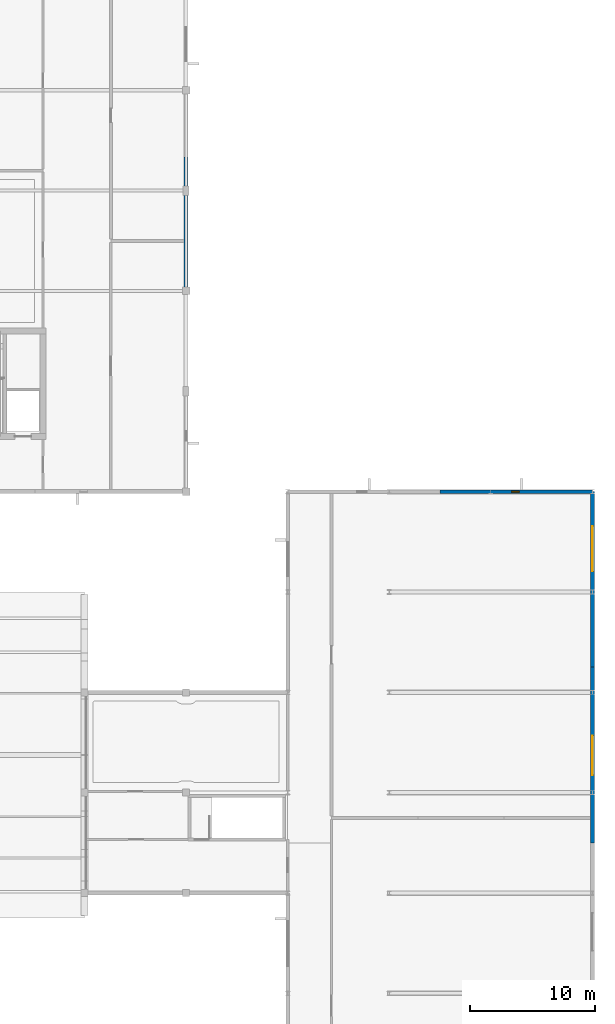
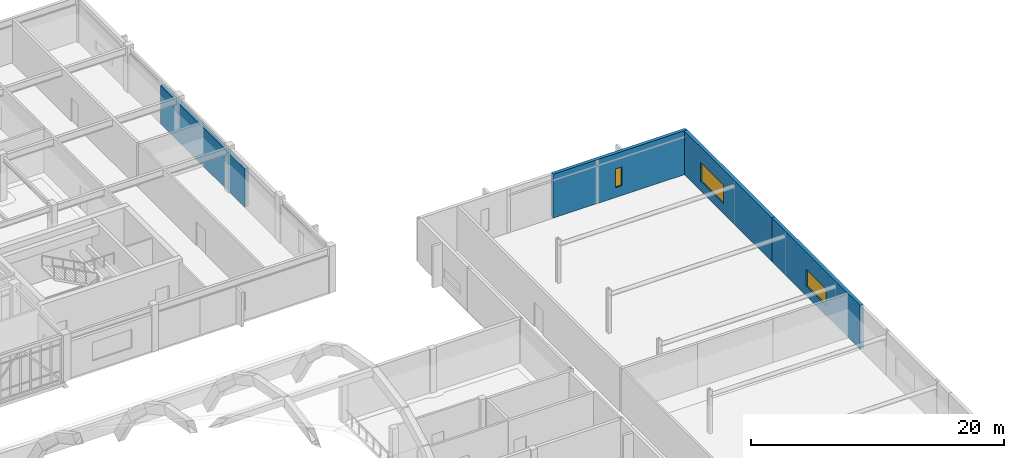
# One storey, part 56 of 67: 4 walls, 3 windows, 3 openings.
"""IFC4 building model written with IfcOpenShell, lengths in metres."""

from ifc_helpers import new_model, si_unit, direction, frame, frame_2d, origin, place, context, subcontext, project, spatial, rectangle, extrude, material, layer, layer_set, type_object, element, fill, save


model = new_model("IFC4")

# Units and contexts
model_context = context("Model", 3, precision=1e-05, world=origin(), true_north=direction((0.0, 1.0)))
body_context = subcontext(model_context, "Body", "Model", "MODEL_VIEW")
ifc_project = project(units=[si_unit("LENGTHUNIT", "METRE"), si_unit("AREAUNIT", "SQUARE_METRE"), si_unit("VOLUMEUNIT", "CUBIC_METRE"), si_unit("PLANEANGLEUNIT", "RADIAN"), si_unit("MASSUNIT", "GRAM", prefix="KILO")], contexts=[model_context])

# Site, building, storey
site_placement = place(None, origin())
site = spatial("IfcSite", under=ifc_project, at=site_placement, CompositionType="ELEMENT")
building_placement = place(site_placement, origin())
building = spatial("IfcBuilding", under=site, at=building_placement, Name="Tarnveldt Square Police Headquarters", CompositionType="ELEMENT")
storey_placement = place(building_placement, frame((0.0, 0.0, 10.199951171875)))
storey = spatial("IfcBuildingStorey", under=building, at=storey_placement, Name="L02", CompositionType="ELEMENT", Elevation=10.199951171875)

# Wall
ifc_material_1 = material(Name="Concrete 40 MPa", Category="concrete")
ifc_layer_1 = layer(ifc_material_1, 0.320068359375)
ifc_layer_set_1 = layer_set([ifc_layer_1], Name="Concrete 40 MPa")
wall_type_1 = type_object("IfcWallType", Name="WL-EXT-BH320", PredefinedType="SOLIDWALL", material=ifc_layer_set_1)
wall_1_placement = place(storey_placement, frame((129.60009765625, 69.333251953125, 0.0), z_axis=(0.0, 0.0, 1.0), x_axis=(0.0, 1.0, 0.0)))
element("IfcWall", 1, at=wall_1_placement, inside=storey, type_object=wall_type_1, Name="L02 Brutalist Exterior Wall 0124", PredefinedType="SOLIDWALL", context=body_context, shape_type="SweptSolid", body=[
    extrude(rectangle(XDim=13.33349609375, YDim=0.320068359375, at=frame_2d((6.666748046875, 0.0))), origin(), (0.0, 0.0, 1.0), 3.73193359375),
])

# Wall, opening, window
ifc_material_2 = material(Name="Manganese ironspot clay brick masonry 20 MPa", Category="masonry")
ifc_layer_2 = layer(ifc_material_2, 0.300048828125)
ifc_layer_set_2 = layer_set([ifc_layer_2], Name="Manganese ironspot clay brick masonry 20 MPa")
wall_type_2 = type_object("IfcWallType", Name="WL-EXT-BRK300", PredefinedType="SOLIDWALL", material=ifc_layer_set_2)
wall_2_placement = place(storey_placement, frame((162.0, 28.0, 0.0), z_axis=(0.0, 0.0, 1.0), x_axis=(0.0, 1.0, 0.0)))
wall_2 = element("IfcWall", 2, at=wall_2_placement, inside=storey, type_object=wall_type_2, Name="L02 Brutalist Exterior Wall 0150", PredefinedType="SOLIDWALL", context=body_context, shape_type="SweptSolid", body=[
    extrude(rectangle(XDim=14.0, YDim=0.300048828125, at=frame_2d((7.0, 0.0))), origin(), (0.0, 0.0, 1.0), 4.239990234375),
])
opening_1_placement = place(wall_2_placement, frame((5.39990234375, 0.0, 0.949951171875)))
opening_1 = element("IfcOpeningElement", 3, at=opening_1_placement, cuts=wall_2, Name="Opening W18", PredefinedType="OPENING", context=body_context, shape_type="SweptSolid", body=[
    extrude(rectangle(XDim=3.14990234375, YDim=1.60009765625, at=frame_2d((1.574951171875, 0.800048828125))), frame((0.0, 0.159912109375, 0.0), z_axis=(0.0, -1.0, 0.0), x_axis=(1.0, 0.0, 0.0)), (0.0, 0.0, 1.0), 0.320068359375),
])
ifc_material_3 = material(Name="Triple-glazed low-e laminated vision glass", Category="glass")
window_type_1 = type_object("IfcWindowType", Name="WIN-DR-315x160", PartitioningType="TRIPLE_PANEL_VERTICAL", PredefinedType="WINDOW", material=ifc_material_3)
window_1_placement = place(opening_1_placement, origin())
window_1 = element("IfcWindow", 4, at=window_1_placement, inside=storey, type_object=window_type_1, Name="L02 Deep-Reveal Brutalist Window 0066", OverallHeight=1.60009765625, OverallWidth=3.14990234375, PartitioningType="TRIPLE_PANEL_VERTICAL", PredefinedType="WINDOW", context=body_context, shape_type="SweptSolid", body=[
    extrude(rectangle(XDim=3.14990234375, YDim=1.60009765625, at=frame_2d((1.574951171875, 0.800048828125))), frame((0.0, 0.030029296875, 0.0), z_axis=(0.0, -1.0, 0.0), x_axis=(1.0, 0.0, 0.0)), (0.0, 0.0, 1.0), 0.06005859375),
])
fill(opening_1, window_1)

wall_3_placement = place(storey_placement, frame((162.0, 42.0, 0.0), z_axis=(0.0, 0.0, 1.0), x_axis=(0.0, 1.0, 0.0)))
wall_3 = element("IfcWall", 5, at=wall_3_placement, inside=storey, type_object=wall_type_2, Name="L02 Brutalist Exterior Wall 0151", PredefinedType="SOLIDWALL", context=body_context, shape_type="SweptSolid", body=[
    extrude(rectangle(XDim=14.0, YDim=0.300048828125, at=frame_2d((7.0, 0.0))), origin(), (0.0, 0.0, 1.0), 4.239990234375),
])
opening_2_placement = place(wall_3_placement, frame((7.64990234375, 0.0, 0.949951171875)))
opening_2 = element("IfcOpeningElement", 6, at=opening_2_placement, cuts=wall_3, Name="Opening W19", PredefinedType="OPENING", context=body_context, shape_type="SweptSolid", body=[
    extrude(rectangle(XDim=3.60009765625, YDim=1.800048828125, at=frame_2d((1.800048828125, 0.89990234375))), frame((0.0, 0.159912109375, 0.0), z_axis=(0.0, -1.0, 0.0), x_axis=(1.0, 0.0, 0.0)), (0.0, 0.0, 1.0), 0.320068359375),
])
window_type_2 = type_object("IfcWindowType", Name="WIN-DR-360x180", PartitioningType="TRIPLE_PANEL_VERTICAL", PredefinedType="WINDOW", material=ifc_material_3)
window_2_placement = place(opening_2_placement, origin())
window_2 = element("IfcWindow", 7, at=window_2_placement, inside=storey, type_object=window_type_2, Name="L02 Deep-Reveal Brutalist Window 0067", OverallHeight=1.800048828125, OverallWidth=3.60009765625, PartitioningType="TRIPLE_PANEL_VERTICAL", PredefinedType="WINDOW", context=body_context, shape_type="SweptSolid", body=[
    extrude(rectangle(XDim=3.60009765625, YDim=1.800048828125, at=frame_2d((1.800048828125, 0.89990234375))), frame((0.0, 0.030029296875, 0.0), z_axis=(0.0, -1.0, 0.0), x_axis=(1.0, 0.0, 0.0)), (0.0, 0.0, 1.0), 0.06005859375),
])
fill(opening_2, window_2)

wall_4_placement = place(storey_placement, frame((162.0, 56.0, 0.0), z_axis=(0.0, 0.0, 1.0), x_axis=(-1.0, 0.0, 0.0)))
wall_4 = element("IfcWall", 8, at=wall_4_placement, inside=storey, type_object=wall_type_2, Name="L02 Brutalist Exterior Wall 0152", PredefinedType="SOLIDWALL", context=body_context, shape_type="SweptSolid", body=[
    extrude(rectangle(XDim=12.14990234375, YDim=0.300048828125, at=frame_2d((6.074951171875, 0.0))), origin(), (0.0, 0.0, 1.0), 4.239990234375),
])
opening_3_placement = place(wall_4_placement, frame((5.85009765625, 0.0, 0.949951171875)))
opening_3 = element("IfcOpeningElement", 9, at=opening_3_placement, cuts=wall_4, Name="Opening W20", PredefinedType="OPENING", context=body_context, shape_type="SweptSolid", body=[
    extrude(rectangle(XDim=0.60009765625, YDim=1.800048828125, at=frame_2d((0.300048828125, 0.89990234375))), frame((0.0, 0.159912109375, 0.0), z_axis=(0.0, -1.0, 0.0), x_axis=(1.0, 0.0, 0.0)), (0.0, 0.0, 1.0), 0.320068359375),
])
window_type_3 = type_object("IfcWindowType", Name="WIN-SLT-060x180", PartitioningType="SINGLE_PANEL", PredefinedType="WINDOW", material=ifc_material_3)
window_3_placement = place(opening_3_placement, origin())
window_3 = element("IfcWindow", 10, at=window_3_placement, inside=storey, type_object=window_type_3, Name="L02 Deep-Reveal Brutalist Window 0068", OverallHeight=1.800048828125, OverallWidth=0.60009765625, PartitioningType="SINGLE_PANEL", PredefinedType="WINDOW", context=body_context, shape_type="SweptSolid", body=[
    extrude(rectangle(XDim=0.60009765625, YDim=1.800048828125, at=frame_2d((0.300048828125, 0.89990234375))), frame((0.0, 0.030029296875, 0.0), z_axis=(0.0, -1.0, 0.0), x_axis=(1.0, 0.0, 0.0)), (0.0, 0.0, 1.0), 0.06005859375),
])
fill(opening_3, window_3)

save(model, "model.ifc")
